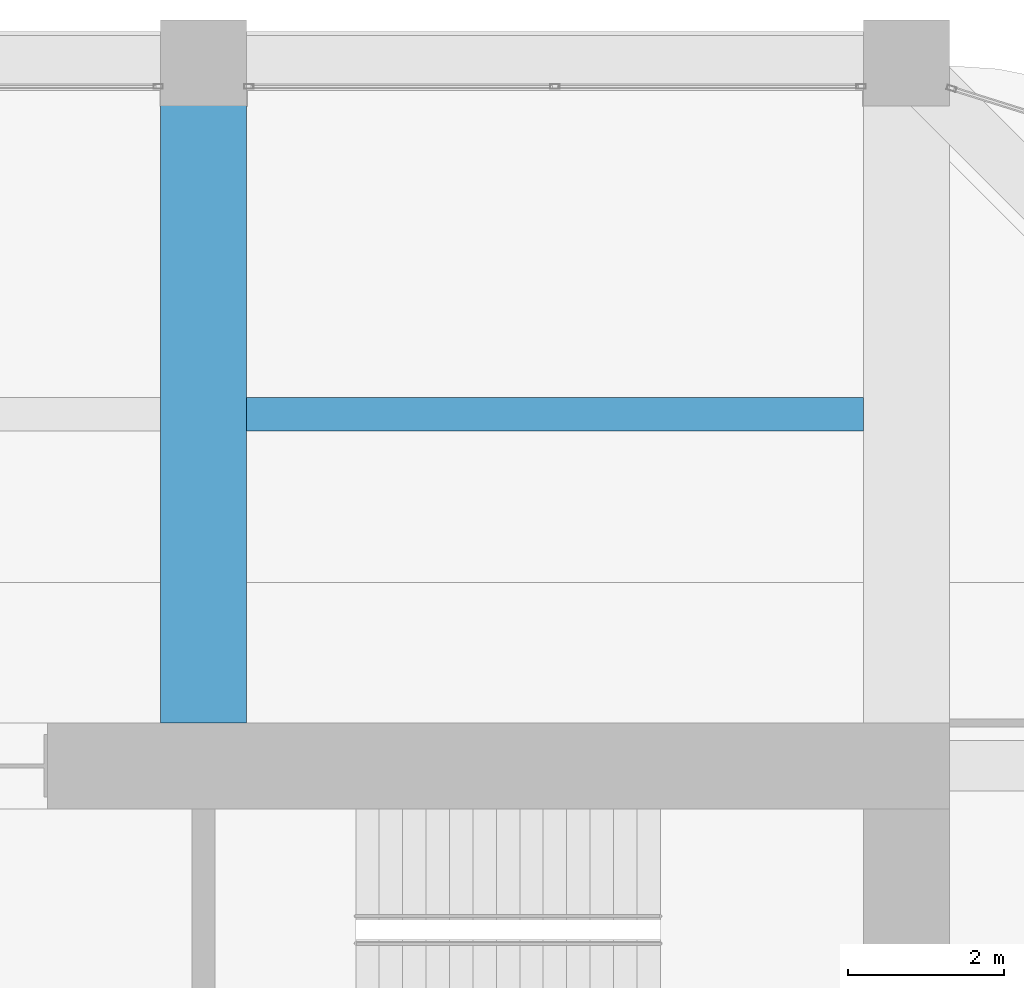
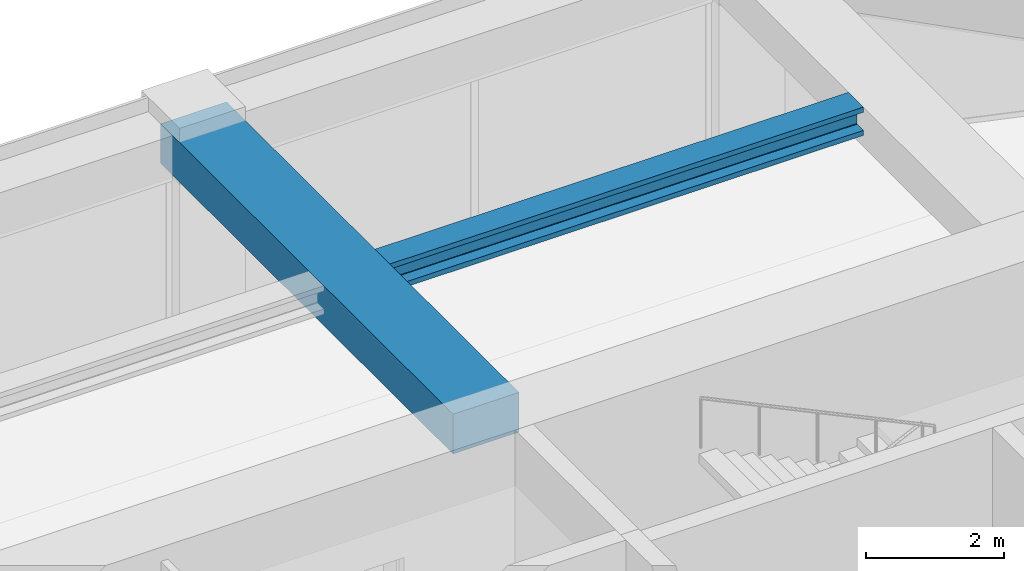
# One storey, part 34 of 44: 2 beams.
"""IFC4 building model written with IfcOpenShell, lengths in metres."""

from ifc_helpers import new_model, si_unit, direction, frame, origin, origin_2d, place, context, subcontext, project, spatial, rectangle, i_section, extrude, material, material_profile, profile_set, type_object, element, save


model = new_model("IFC4")

# Units and contexts
model_context = context("Model", 3, precision=1e-05, world=origin(), true_north=direction((0.0, 1.0)))
body_context = subcontext(model_context, "Body", "Model", "MODEL_VIEW")
ifc_project = project(units=[si_unit("LENGTHUNIT", "METRE"), si_unit("AREAUNIT", "SQUARE_METRE"), si_unit("VOLUMEUNIT", "CUBIC_METRE"), si_unit("PLANEANGLEUNIT", "RADIAN"), si_unit("MASSUNIT", "GRAM", prefix="KILO")], contexts=[model_context])

# Site, building, storey
site_placement = place(None, origin())
site = spatial("IfcSite", under=ifc_project, at=site_placement, CompositionType="ELEMENT")
building_placement = place(site_placement, origin())
building = spatial("IfcBuilding", under=site, at=building_placement, Name="Zorevar Civic Tower", CompositionType="ELEMENT")
storey_placement = place(building_placement, frame((0.0, 0.0, 263.39990234375)))
storey = spatial("IfcBuildingStorey", under=building, at=storey_placement, Name="L64", CompositionType="ELEMENT", Elevation=263.39990234375)

# Beams
ifc_material_1 = material(Name="Concrete C50/60", Category="concrete")
ifc_material_profile_1 = material_profile(ifc_material_1, rectangle(XDim=1.10009765625, YDim=0.699951171875, at=origin_2d()), Name="RC 1100x700")
ifc_profile_set_1 = profile_set([ifc_material_profile_1], Name="Concrete C50/60")
beam_type_1 = type_object("IfcBeamType", Name="Beam RC 1100x700", PredefinedType="BEAM", material=ifc_profile_set_1)
beam_1_placement = place(storey_placement, frame((36.0, 36.550048828125, 3.400146484375), z_axis=(0.0, 1.0, 0.0), x_axis=(-1.0, 0.0, 0.0)))
element("IfcBeam", 1, at=beam_1_placement, inside=storey, type_object=beam_type_1, Name="Girder L65", PredefinedType="BEAM", context=body_context, shape_type="SweptSolid", body=[
    extrude(rectangle(XDim=1.10009765625, YDim=0.699951171875, at=origin_2d()), origin(), (0.0, 0.0, 1.0), 8.449951171875),
])
ifc_material_2 = material(Name="Steel S460M (HISTAR 460)", Category="steel")
ifc_material_profile_2 = material_profile(ifc_material_2, i_section(OverallWidth=0.431884765625, OverallDepth=0.498046875, WebThickness=0.0556640625, FlangeThickness=0.0888671875, FilletRadius=0.014892578125, at=origin_2d()), Name="HD 400x744")
ifc_profile_set_2 = profile_set([ifc_material_profile_2], Name="Steel S460M (HISTAR 460)")
beam_type_2 = type_object("IfcBeamType", Name="Core bay beam HD 400x744", PredefinedType="BEAM", material=ifc_profile_set_2)
beam_2_placement = place(storey_placement, frame((36.550048828125, 40.5, 3.5009765625), z_axis=(1.0, 0.0, 0.0), x_axis=(0.0, 1.0, 0.0)))
element("IfcBeam", 2, at=beam_2_placement, inside=storey, type_object=beam_type_2, Name="Secondary beam L65", PredefinedType="BEAM", context=body_context, shape_type="SweptSolid", body=[
    extrude(i_section(OverallWidth=0.431884765625, OverallDepth=0.498046875, WebThickness=0.0556640625, FlangeThickness=0.0888671875, FilletRadius=0.014892578125, at=origin_2d()), origin(), (0.0, 0.0, 1.0), 7.89990234375),
])

save(model, "model.ifc")
